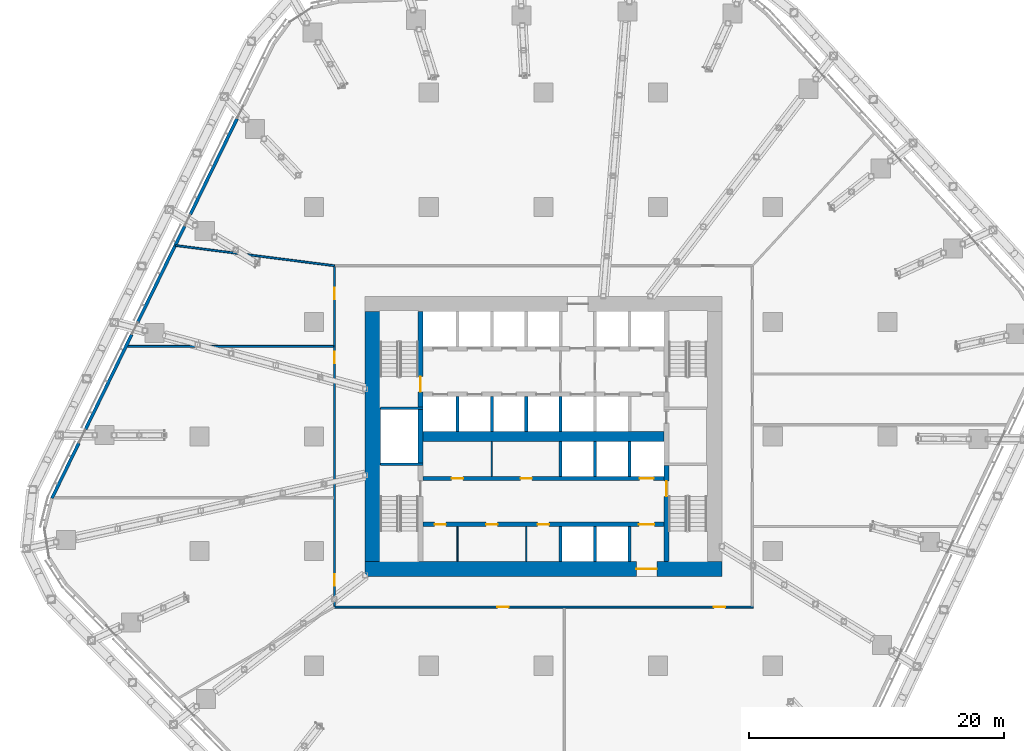
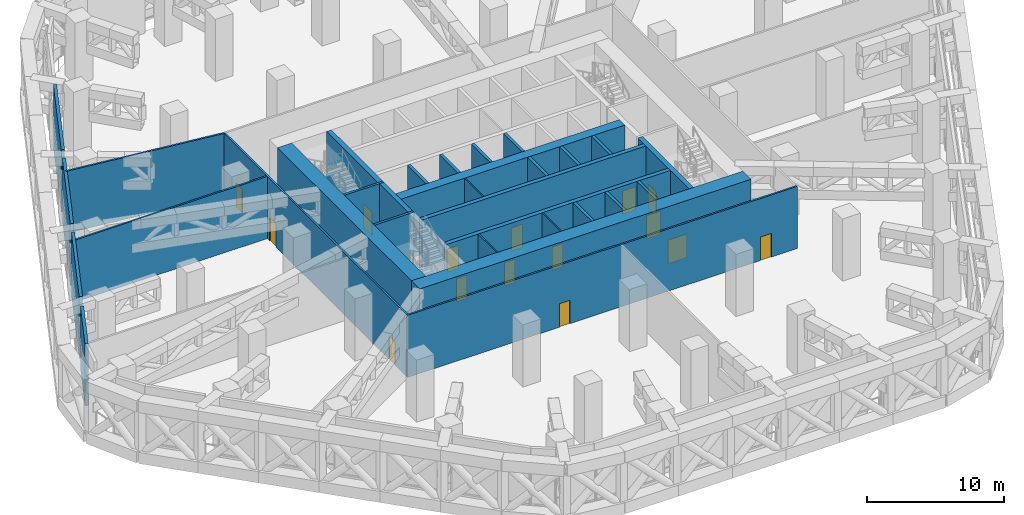
# One storey, part 17 of 38: 31 walls, 15 doors, 15 openings.
"""IFC4 building model written with IfcOpenShell, lengths in metres."""

from ifc_helpers import new_model, si_unit, direction, frame, frame_2d, origin, place, context, subcontext, project, spatial, rectangle, extrude, material, layer, layer_set, type_object, element, fill, save


model = new_model("IFC4")

# Units and contexts
model_context = context("Model", 3, precision=1e-05, world=origin(), true_north=direction((0.0, 1.0)))
body_context = subcontext(model_context, "Body", "Model", "MODEL_VIEW")
ifc_project = project(units=[si_unit("LENGTHUNIT", "METRE"), si_unit("AREAUNIT", "SQUARE_METRE"), si_unit("VOLUMEUNIT", "CUBIC_METRE"), si_unit("PLANEANGLEUNIT", "RADIAN"), si_unit("MASSUNIT", "GRAM", prefix="KILO")], contexts=[model_context])

# Site, building, storey
site_placement = place(None, origin())
site = spatial("IfcSite", under=ifc_project, at=site_placement, CompositionType="ELEMENT")
building_placement = place(site_placement, origin())
building = spatial("IfcBuilding", under=site, at=building_placement, Name="Dongbaek Canopy Tower", CompositionType="ELEMENT")
storey_placement = place(building_placement, frame((0.0, 0.0, 89.199951171875)))
storey = spatial("IfcBuildingStorey", under=building, at=storey_placement, Name="L18", CompositionType="ELEMENT", Elevation=89.199951171875)

# Wall
ifc_material_1 = material(Name="Concrete C60/75", Category="concrete")
ifc_layer_1 = layer(ifc_material_1, 0.800048828125)
ifc_layer_set_1 = layer_set([ifc_layer_1], Name="Core central wall 800 Concrete C60/75")
wall_type_1 = type_object("IfcWallType", Name="Core central wall 800 Concrete C60/75", PredefinedType="SHEAR", material=ifc_layer_set_1)
wall_1_placement = place(storey_placement, frame((-9.449951171875, 0.0, 0.0), z_axis=(0.0, 0.0, 1.0), x_axis=(1.0, 0.0, 0.0)))
element("IfcWall", 1, at=wall_1_placement, inside=storey, type_object=wall_type_1, Name="Core wall", PredefinedType="SHEAR", context=body_context, shape_type="SweptSolid", body=[
    extrude(rectangle(XDim=18.89990234375, YDim=0.800048828125, at=frame_2d((9.449951171875, 0.0))), origin(), (0.0, 0.0, 1.0), 5.550048828125),
])

# Wall, openings, doors
ifc_material_2 = material(Name="Concrete C60/75", Category="concrete")
ifc_layer_2 = layer(ifc_material_2, 0.35009765625)
ifc_layer_set_2 = layer_set([ifc_layer_2], Name="Core lobby wall 350 Concrete C60/75")
wall_type_2 = type_object("IfcWallType", Name="Core lobby wall 350 Concrete C60/75", PredefinedType="SHEAR", material=ifc_layer_set_2)
wall_2_placement = place(storey_placement, frame((-9.449951171875, -3.300048828125, 0.0), z_axis=(0.0, 0.0, 1.0), x_axis=(1.0, 0.0, 0.0)))
wall_2 = element("IfcWall", 2, at=wall_2_placement, inside=storey, type_object=wall_type_2, Name="Core wall", PredefinedType="SHEAR", context=body_context, shape_type="SweptSolid", body=[
    extrude(rectangle(XDim=18.89990234375, YDim=0.35009765625, at=frame_2d((9.449951171875, 0.0))), origin(), (0.0, 0.0, 1.0), 5.550048828125),
])
opening_1_placement = place(wall_2_placement, frame((17.0, 0.0, 0.0)))
opening_1 = element("IfcOpeningElement", 3, at=opening_1_placement, cuts=wall_2, Name="Opening L18-D026", PredefinedType="OPENING", context=body_context, shape_type="SweptSolid", body=[
    extrude(rectangle(XDim=1.10009765625, YDim=2.10009765625, at=frame_2d((0.550048828125, 1.050048828125))), frame((0.0, 0.18505859375, 0.0), z_axis=(0.0, -1.0, 0.0), x_axis=(1.0, 0.0, 0.0)), (0.0, 0.0, 1.0), 0.3701171875),
])
opening_2_placement = place(wall_2_placement, frame((2.25, 0.0, 0.0)))
opening_2 = element("IfcOpeningElement", 4, at=opening_2_placement, cuts=wall_2, Name="Opening L18-D029", PredefinedType="OPENING", context=body_context, shape_type="SweptSolid", body=[
    extrude(rectangle(XDim=0.89990234375, YDim=2.10009765625, at=frame_2d((0.449951171875, 1.050048828125))), frame((0.0, 0.18505859375, 0.0), z_axis=(0.0, -1.0, 0.0), x_axis=(1.0, 0.0, 0.0)), (0.0, 0.0, 1.0), 0.3701171875),
])
opening_3_placement = place(wall_2_placement, frame((7.64990234375, 0.0, 0.0)))
opening_3 = element("IfcOpeningElement", 5, at=opening_3_placement, cuts=wall_2, Name="Opening L18-D030", PredefinedType="OPENING", context=body_context, shape_type="SweptSolid", body=[
    extrude(rectangle(XDim=0.89990234375, YDim=2.10009765625, at=frame_2d((0.449951171875, 1.050048828125))), frame((0.0, 0.18505859375, 0.0), z_axis=(0.0, -1.0, 0.0), x_axis=(1.0, 0.0, 0.0)), (0.0, 0.0, 1.0), 0.3701171875),
])
ifc_material_3 = material(Name="Steel", Category="steel")
door_type_1 = type_object("IfcDoorType", Name="Core room door 900 x 2100", OperationType="SINGLE_SWING_LEFT", PredefinedType="DOOR", material=ifc_material_3)
door_1_placement = place(opening_2_placement, origin())
door_1 = element("IfcDoor", 6, at=door_1_placement, inside=storey, type_object=door_type_1, Name="Door L18-D029", OperationType="SINGLE_SWING_RIGHT", OverallHeight=2.10009765625, OverallWidth=0.89990234375, PredefinedType="DOOR", context=body_context, shape_type="SweptSolid", body=[
    extrude(rectangle(XDim=0.89990234375, YDim=2.10009765625, at=frame_2d((0.449951171875, 1.050048828125))), frame((0.0, 0.02490234375, 0.0), z_axis=(0.0, -1.0, 0.0), x_axis=(1.0, 0.0, 0.0)), (0.0, 0.0, 1.0), 0.050048828125),
])
fill(opening_2, door_1)
door_2_placement = place(opening_3_placement, origin())
door_2 = element("IfcDoor", 7, at=door_2_placement, inside=storey, type_object=door_type_1, Name="Door L18-D030", OperationType="SINGLE_SWING_LEFT", OverallHeight=2.10009765625, OverallWidth=0.89990234375, PredefinedType="DOOR", context=body_context, shape_type="SweptSolid", body=[
    extrude(rectangle(XDim=0.89990234375, YDim=2.10009765625, at=frame_2d((0.449951171875, 1.050048828125))), frame((0.0, 0.02490234375, 0.0), z_axis=(0.0, -1.0, 0.0), x_axis=(1.0, 0.0, 0.0)), (0.0, 0.0, 1.0), 0.050048828125),
])
fill(opening_3, door_2)
ifc_material_4 = material(Name="Stainless steel", Category="steel")
door_type_2 = type_object("IfcDoorType", Name="Lift landing door 1100 x 2100", OperationType="DOUBLE_DOOR_SLIDING", PredefinedType="DOOR", material=ifc_material_4)
door_3_placement = place(opening_1_placement, origin())
door_3 = element("IfcDoor", 8, at=door_3_placement, inside=storey, type_object=door_type_2, Name="Landing door SV2", OperationType="DOUBLE_DOOR_SLIDING", OverallHeight=2.10009765625, OverallWidth=1.10009765625, PredefinedType="DOOR", context=body_context, shape_type="SweptSolid", body=[
    extrude(rectangle(XDim=1.10009765625, YDim=2.10009765625, at=frame_2d((0.550048828125, 1.050048828125))), frame((0.0, 0.02490234375, 0.0), z_axis=(0.0, -1.0, 0.0), x_axis=(1.0, 0.0, 0.0)), (0.0, 0.0, 1.0), 0.050048828125),
])
fill(opening_1, door_3)

wall_3_placement = place(storey_placement, frame((9.449951171875, -6.89990234375, 0.0), z_axis=(0.0, 0.0, 1.0), x_axis=(-1.0, 0.0, 0.0)))
wall_3 = element("IfcWall", 9, at=wall_3_placement, inside=storey, type_object=wall_type_2, Name="Core wall", PredefinedType="SHEAR", context=body_context, shape_type="SweptSolid", body=[
    extrude(rectangle(XDim=18.89990234375, YDim=0.35009765625, at=frame_2d((9.449951171875, 0.0))), origin(), (0.0, 0.0, 1.0), 5.550048828125),
])
opening_4_placement = place(wall_3_placement, frame((0.75, 0.0, 0.0)))
opening_4 = element("IfcOpeningElement", 10, at=opening_4_placement, cuts=wall_3, Name="Opening L18-D028", PredefinedType="OPENING", context=body_context, shape_type="SweptSolid", body=[
    extrude(rectangle(XDim=1.199951171875, YDim=2.10009765625, at=frame_2d((0.60009765625, 1.050048828125))), frame((0.0, 0.18505859375, 0.0), z_axis=(0.0, -1.0, 0.0), x_axis=(1.0, 0.0, 0.0)), (0.0, 0.0, 1.0), 0.3701171875),
])
opening_5_placement = place(wall_3_placement, frame((17.10009765625, 0.0, 0.0)))
opening_5 = element("IfcOpeningElement", 11, at=opening_5_placement, cuts=wall_3, Name="Opening L18-D031", PredefinedType="OPENING", context=body_context, shape_type="SweptSolid", body=[
    extrude(rectangle(XDim=0.89990234375, YDim=2.10009765625, at=frame_2d((0.449951171875, 1.050048828125))), frame((0.0, 0.18505859375, 0.0), z_axis=(0.0, -1.0, 0.0), x_axis=(1.0, 0.0, 0.0)), (0.0, 0.0, 1.0), 0.3701171875),
])
opening_6_placement = place(wall_3_placement, frame((13.050048828125, 0.0, 0.0)))
opening_6 = element("IfcOpeningElement", 12, at=opening_6_placement, cuts=wall_3, Name="Opening L18-D032", PredefinedType="OPENING", context=body_context, shape_type="SweptSolid", body=[
    extrude(rectangle(XDim=0.89990234375, YDim=2.10009765625, at=frame_2d((0.449951171875, 1.050048828125))), frame((0.0, 0.18505859375, 0.0), z_axis=(0.0, -1.0, 0.0), x_axis=(1.0, 0.0, 0.0)), (0.0, 0.0, 1.0), 0.3701171875),
])
opening_7_placement = place(wall_3_placement, frame((9.0, 0.0, 0.0)))
opening_7 = element("IfcOpeningElement", 13, at=opening_7_placement, cuts=wall_3, Name="Opening L18-D033", PredefinedType="OPENING", context=body_context, shape_type="SweptSolid", body=[
    extrude(rectangle(XDim=0.89990234375, YDim=2.10009765625, at=frame_2d((0.449951171875, 1.050048828125))), frame((0.0, 0.18505859375, 0.0), z_axis=(0.0, -1.0, 0.0), x_axis=(1.0, 0.0, 0.0)), (0.0, 0.0, 1.0), 0.3701171875),
])
door_4_placement = place(opening_5_placement, origin())
door_4 = element("IfcDoor", 14, at=door_4_placement, inside=storey, type_object=door_type_1, Name="Door L18-D031", OperationType="SINGLE_SWING_RIGHT", OverallHeight=2.10009765625, OverallWidth=0.89990234375, PredefinedType="DOOR", context=body_context, shape_type="SweptSolid", body=[
    extrude(rectangle(XDim=0.89990234375, YDim=2.10009765625, at=frame_2d((0.449951171875, 1.050048828125))), frame((0.0, 0.02490234375, 0.0), z_axis=(0.0, -1.0, 0.0), x_axis=(1.0, 0.0, 0.0)), (0.0, 0.0, 1.0), 0.050048828125),
])
fill(opening_5, door_4)
door_5_placement = place(opening_6_placement, origin())
door_5 = element("IfcDoor", 15, at=door_5_placement, inside=storey, type_object=door_type_1, Name="Door L18-D032", OperationType="SINGLE_SWING_LEFT", OverallHeight=2.10009765625, OverallWidth=0.89990234375, PredefinedType="DOOR", context=body_context, shape_type="SweptSolid", body=[
    extrude(rectangle(XDim=0.89990234375, YDim=2.10009765625, at=frame_2d((0.449951171875, 1.050048828125))), frame((0.0, 0.02490234375, 0.0), z_axis=(0.0, -1.0, 0.0), x_axis=(1.0, 0.0, 0.0)), (0.0, 0.0, 1.0), 0.050048828125),
])
fill(opening_6, door_5)
door_6_placement = place(opening_7_placement, origin())
door_6 = element("IfcDoor", 16, at=door_6_placement, inside=storey, type_object=door_type_1, Name="Door L18-D033", OperationType="SINGLE_SWING_RIGHT", OverallHeight=2.10009765625, OverallWidth=0.89990234375, PredefinedType="DOOR", context=body_context, shape_type="SweptSolid", body=[
    extrude(rectangle(XDim=0.89990234375, YDim=2.10009765625, at=frame_2d((0.449951171875, 1.050048828125))), frame((0.0, 0.02490234375, 0.0), z_axis=(0.0, -1.0, 0.0), x_axis=(1.0, 0.0, 0.0)), (0.0, 0.0, 1.0), 0.050048828125),
])
fill(opening_7, door_6)
ifc_material_5 = material(Name="Steel", Category="steel")
door_type_3 = type_object("IfcDoorType", Name="Fire lobby door 1200 x 2100", OperationType="SINGLE_SWING_LEFT", PredefinedType="DOOR", material=ifc_material_5)
door_7_placement = place(opening_4_placement, origin())
door_7 = element("IfcDoor", 17, at=door_7_placement, inside=storey, type_object=door_type_3, Name="Door L18-D028", OperationType="SINGLE_SWING_LEFT", OverallHeight=2.10009765625, OverallWidth=1.199951171875, PredefinedType="DOOR", context=body_context, shape_type="SweptSolid", body=[
    extrude(rectangle(XDim=1.199951171875, YDim=2.10009765625, at=frame_2d((0.60009765625, 1.050048828125))), frame((0.0, 0.02490234375, 0.0), z_axis=(0.0, -1.0, 0.0), x_axis=(1.0, 0.0, 0.0)), (0.0, 0.0, 1.0), 0.050048828125),
])
fill(opening_4, door_7)

# Wall, opening, door
ifc_material_6 = material(Name="Concrete C60/75", Category="concrete")
ifc_layer_3 = layer(ifc_material_6, 1.199951171875)
ifc_layer_set_3 = layer_set([ifc_layer_3], Name="Core outer wall 1200 Concrete C60/75")
wall_type_3 = type_object("IfcWallType", Name="Core outer wall 1200 Concrete C60/75", PredefinedType="SHEAR", material=ifc_layer_set_3)
wall_4_placement = place(storey_placement, frame((14.0, -10.39990234375, 0.0), z_axis=(0.0, 0.0, 1.0), x_axis=(-1.0, 0.0, 0.0)))
wall_4 = element("IfcWall", 18, at=wall_4_placement, inside=storey, type_object=wall_type_3, Name="Core wall", PredefinedType="SHEAR", context=body_context, shape_type="SweptSolid", body=[
    extrude(rectangle(XDim=28.0, YDim=1.199951171875, at=frame_2d((14.0, 0.0))), origin(), (0.0, 0.0, 1.0), 5.550048828125),
])
opening_8_placement = place(wall_4_placement, frame((5.10009765625, 0.0, 0.0)))
opening_8 = element("IfcOpeningElement", 19, at=opening_8_placement, cuts=wall_4, Name="Opening L18-D027", PredefinedType="OPENING", context=body_context, shape_type="SweptSolid", body=[
    extrude(rectangle(XDim=1.60009765625, YDim=2.10009765625, at=frame_2d((0.800048828125, 1.050048828125))), frame((0.0, 0.60986328125, 0.0), z_axis=(0.0, -1.0, 0.0), x_axis=(1.0, 0.0, 0.0)), (0.0, 0.0, 1.0), 1.219970703125),
])
ifc_material_7 = material(Name="Steel", Category="steel")
door_type_4 = type_object("IfcDoorType", Name="Core exit door 1600 x 2100", OperationType="DOUBLE_DOOR_SINGLE_SWING", PredefinedType="DOOR", material=ifc_material_7)
door_8_placement = place(opening_8_placement, origin())
door_8 = element("IfcDoor", 20, at=door_8_placement, inside=storey, type_object=door_type_4, Name="Core exit door", OperationType="DOUBLE_DOOR_SINGLE_SWING", OverallHeight=2.10009765625, OverallWidth=1.60009765625, PredefinedType="DOOR", context=body_context, shape_type="SweptSolid", body=[
    extrude(rectangle(XDim=1.60009765625, YDim=2.10009765625, at=frame_2d((0.800048828125, 1.050048828125))), frame((0.0, 0.02490234375, 0.0), z_axis=(0.0, -1.0, 0.0), x_axis=(1.0, 0.0, 0.0)), (0.0, 0.0, 1.0), 0.050048828125),
])
fill(opening_8, door_8)

# Wall
wall_5_placement = place(storey_placement, frame((-13.39990234375, -9.800048828125, 0.0), z_axis=(0.0, 0.0, 1.0), x_axis=(0.0, 1.0, 0.0)))
element("IfcWall", 21, at=wall_5_placement, inside=storey, type_object=wall_type_3, Name="Core wall", PredefinedType="SHEAR", context=body_context, shape_type="SweptSolid", body=[
    extrude(rectangle(XDim=19.60009765625, YDim=1.199951171875, at=frame_2d((9.800048828125, 0.0))), origin(), (0.0, 0.0, 1.0), 5.550048828125),
])

# Wall, openings, doors
ifc_material_8 = material(Name="Gypsum board partition, steel stud, 2 x 15 mm fire board", Category="steel")
ifc_layer_4 = layer(ifc_material_8, 0.14990234375)
ifc_layer_set_4 = layer_set([ifc_layer_4], Name="Fire-rated partition 150 gypsum board")
wall_type_4 = type_object("IfcWallType", Name="Fire-rated partition 150 gypsum board", PredefinedType="PARTITIONING", material=ifc_layer_set_4)
wall_6_placement = place(storey_placement, frame((16.47509765625, -13.39990234375, 0.0), z_axis=(0.0, 0.0, 1.0), x_axis=(-1.0, 0.0, 0.0)))
wall_6 = element("IfcWall", 22, at=wall_6_placement, inside=storey, type_object=wall_type_4, Name="Corridor partition", PredefinedType="PARTITIONING", context=body_context, shape_type="SweptSolid", body=[
    extrude(rectangle(XDim=32.9501953125, YDim=0.14990234375, at=frame_2d((16.47509765625, 0.0))), origin(), (0.0, 0.0, 1.0), 5.550048828125),
])
opening_9_placement = place(wall_6_placement, frame((19.203125, 0.0, 0.0)))
opening_9 = element("IfcOpeningElement", 23, at=opening_9_placement, cuts=wall_6, Name="Opening L18-D002", PredefinedType="OPENING", context=body_context, shape_type="SweptSolid", body=[
    extrude(rectangle(XDim=0.89990234375, YDim=2.10009765625, at=frame_2d((0.449951171875, 1.050048828125))), frame((0.0, 0.0849609375, 0.0), z_axis=(0.0, -1.0, 0.0), x_axis=(1.0, 0.0, 0.0)), (0.0, 0.0, 1.0), 0.169921875),
])
opening_10_placement = place(wall_6_placement, frame((2.192138671875, 0.0, 0.0)))
opening_10 = element("IfcOpeningElement", 24, at=opening_10_placement, cuts=wall_6, Name="Opening L18-D003", PredefinedType="OPENING", context=body_context, shape_type="SweptSolid", body=[
    extrude(rectangle(XDim=0.89990234375, YDim=2.10009765625, at=frame_2d((0.449951171875, 1.050048828125))), frame((0.0, 0.0849609375, 0.0), z_axis=(0.0, -1.0, 0.0), x_axis=(1.0, 0.0, 0.0)), (0.0, 0.0, 1.0), 0.169921875),
])
ifc_material_9 = material(Name="Timber veneered door leaf", Category="wood")
door_type_5 = type_object("IfcDoorType", Name="Room door 900 x 2100", OperationType="SINGLE_SWING_LEFT", PredefinedType="DOOR", material=ifc_material_9)
door_9_placement = place(opening_9_placement, origin())
door_9 = element("IfcDoor", 25, at=door_9_placement, inside=storey, type_object=door_type_5, Name="Door L18-D002", OperationType="SINGLE_SWING_LEFT", OverallHeight=2.10009765625, OverallWidth=0.89990234375, PredefinedType="DOOR", context=body_context, shape_type="SweptSolid", body=[
    extrude(rectangle(XDim=0.89990234375, YDim=2.10009765625, at=frame_2d((0.449951171875, 1.050048828125))), frame((0.0, 0.02490234375, 0.0), z_axis=(0.0, -1.0, 0.0), x_axis=(1.0, 0.0, 0.0)), (0.0, 0.0, 1.0), 0.050048828125),
])
fill(opening_9, door_9)
ifc_material_10 = material(Name="Timber veneered door leaf", Category="wood")
door_type_6 = type_object("IfcDoorType", Name="Store door 900 x 2100", OperationType="SINGLE_SWING_LEFT", PredefinedType="DOOR", material=ifc_material_10)
door_10_placement = place(opening_10_placement, origin())
door_10 = element("IfcDoor", 26, at=door_10_placement, inside=storey, type_object=door_type_6, Name="Door L18-D003", OperationType="SINGLE_SWING_RIGHT", OverallHeight=2.10009765625, OverallWidth=0.89990234375, PredefinedType="DOOR", context=body_context, shape_type="SweptSolid", body=[
    extrude(rectangle(XDim=0.89990234375, YDim=2.10009765625, at=frame_2d((0.449951171875, 1.050048828125))), frame((0.0, 0.02490234375, 0.0), z_axis=(0.0, -1.0, 0.0), x_axis=(1.0, 0.0, 0.0)), (0.0, 0.0, 1.0), 0.050048828125),
])
fill(opening_10, door_10)

# Wall
wall_7_placement = place(storey_placement, frame((-32.748291015625, 7.075927734375, 0.0), z_axis=(0.0, 0.0, 1.0), x_axis=(1.0, 0.0, 0.0)))
element("IfcWall", 27, at=wall_7_placement, inside=storey, type_object=wall_type_4, Name="Corridor partition", PredefinedType="PARTITIONING", context=body_context, shape_type="SweptSolid", body=[
    extrude(rectangle(XDim=16.273193359375, YDim=0.14990234375, at=frame_2d((8.13671875, 0.0))), origin(), (0.0, 0.0, 1.0), 5.550048828125),
])

# Wall, openings, doors
wall_8_placement = place(storey_placement, frame((-16.39990234375, -13.324951171875, 0.0), z_axis=(0.0, 0.0, 1.0), x_axis=(0.0, 1.0, 0.0)))
wall_8 = element("IfcWall", 28, at=wall_8_placement, inside=storey, type_object=wall_type_4, Name="Corridor partition", PredefinedType="PARTITIONING", context=body_context, shape_type="SweptSolid", body=[
    extrude(rectangle(XDim=26.64990234375, YDim=0.14990234375, at=frame_2d((13.324951171875, 0.0))), origin(), (0.0, 0.0, 1.0), 5.550048828125),
])
opening_11_placement = place(wall_8_placement, frame((1.62060546875, 0.0, 0.0)))
opening_11 = element("IfcOpeningElement", 29, at=opening_11_placement, cuts=wall_8, Name="Opening L18-D001", PredefinedType="OPENING", context=body_context, shape_type="SweptSolid", body=[
    extrude(rectangle(XDim=0.89990234375, YDim=2.10009765625, at=frame_2d((0.449951171875, 1.050048828125))), frame((0.0, 0.0849609375, 0.0), z_axis=(0.0, -1.0, 0.0), x_axis=(1.0, 0.0, 0.0)), (0.0, 0.0, 1.0), 0.169921875),
])
opening_12_placement = place(wall_8_placement, frame((24.097900390625, 0.0, 0.0)))
opening_12 = element("IfcOpeningElement", 30, at=opening_12_placement, cuts=wall_8, Name="Opening L18-D008", PredefinedType="OPENING", context=body_context, shape_type="SweptSolid", body=[
    extrude(rectangle(XDim=0.89990234375, YDim=2.10009765625, at=frame_2d((0.449951171875, 1.050048828125))), frame((0.0, 0.0849609375, 0.0), z_axis=(0.0, -1.0, 0.0), x_axis=(1.0, 0.0, 0.0)), (0.0, 0.0, 1.0), 0.169921875),
])
opening_13_placement = place(wall_8_placement, frame((19.087890625, 0.0, 0.0)))
opening_13 = element("IfcOpeningElement", 31, at=opening_13_placement, cuts=wall_8, Name="Opening L18-D009", PredefinedType="OPENING", context=body_context, shape_type="SweptSolid", body=[
    extrude(rectangle(XDim=0.89990234375, YDim=2.10009765625, at=frame_2d((0.449951171875, 1.050048828125))), frame((0.0, 0.0849609375, 0.0), z_axis=(0.0, -1.0, 0.0), x_axis=(1.0, 0.0, 0.0)), (0.0, 0.0, 1.0), 0.169921875),
])
door_11_placement = place(opening_11_placement, origin())
door_11 = element("IfcDoor", 32, at=door_11_placement, inside=storey, type_object=door_type_5, Name="Door L18-D001", OperationType="SINGLE_SWING_RIGHT", OverallHeight=2.10009765625, OverallWidth=0.89990234375, PredefinedType="DOOR", context=body_context, shape_type="SweptSolid", body=[
    extrude(rectangle(XDim=0.89990234375, YDim=2.10009765625, at=frame_2d((0.449951171875, 1.050048828125))), frame((0.0, 0.02490234375, 0.0), z_axis=(0.0, -1.0, 0.0), x_axis=(1.0, 0.0, 0.0)), (0.0, 0.0, 1.0), 0.050048828125),
])
fill(opening_11, door_11)
door_12_placement = place(opening_12_placement, origin())
door_12 = element("IfcDoor", 33, at=door_12_placement, inside=storey, type_object=door_type_5, Name="Door L18-D008", OperationType="SINGLE_SWING_LEFT", OverallHeight=2.10009765625, OverallWidth=0.89990234375, PredefinedType="DOOR", context=body_context, shape_type="SweptSolid", body=[
    extrude(rectangle(XDim=0.89990234375, YDim=2.10009765625, at=frame_2d((0.449951171875, 1.050048828125))), frame((0.0, 0.02490234375, 0.0), z_axis=(0.0, -1.0, 0.0), x_axis=(1.0, 0.0, 0.0)), (0.0, 0.0, 1.0), 0.050048828125),
])
fill(opening_12, door_12)
door_13_placement = place(opening_13_placement, origin())
door_13 = element("IfcDoor", 34, at=door_13_placement, inside=storey, type_object=door_type_5, Name="Door L18-D009", OperationType="SINGLE_SWING_RIGHT", OverallHeight=2.10009765625, OverallWidth=0.89990234375, PredefinedType="DOOR", context=body_context, shape_type="SweptSolid", body=[
    extrude(rectangle(XDim=0.89990234375, YDim=2.10009765625, at=frame_2d((0.449951171875, 1.050048828125))), frame((0.0, 0.02490234375, 0.0), z_axis=(0.0, -1.0, 0.0), x_axis=(1.0, 0.0, 0.0)), (0.0, 0.0, 1.0), 0.050048828125),
])
fill(opening_13, door_13)

# Walls
wall_9_placement = place(storey_placement, frame((-28.888427734375, 14.990966796875, 0.0), z_axis=(0.0, 0.0, 1.0), x_axis=(0.991981829528, -0.126380575588, 0.0)))
element("IfcWall", 35, at=wall_9_placement, inside=storey, type_object=wall_type_4, Name="Corridor partition", PredefinedType="PARTITIONING", context=body_context, shape_type="SweptSolid", body=[
    extrude(rectangle(XDim=12.58935546875, YDim=0.14990234375, at=frame_2d((6.294677734375, 0.0))), origin(), (0.0, 0.0, 1.0), 5.550048828125),
])
ifc_material_11 = material(Name="Concrete C40/50", Category="concrete")
ifc_layer_5 = layer(ifc_material_11, 0.25)
ifc_layer_set_5 = layer_set([ifc_layer_5], Name="Lift shaft wall 250 Concrete C40/50")
wall_type_5 = type_object("IfcWallType", Name="Lift shaft wall 250 Concrete C40/50", PredefinedType="SOLIDWALL", material=ifc_layer_set_5)
for number, where, z_axis, x_axis, name in (
    (36, (6.75, -9.800048828125, 0.0), (0.0, 0.0, 1.0), (0.0, 1.0, 0.0), "Lift shaft wall"),
    (37, (6.75, -3.125, 0.0), (0.0, 0.0, 1.0), (0.0, 1.0, 0.0), "Lift shaft wall"),
    (38, (4.050048828125, -9.800048828125, 0.0), (0.0, 0.0, 1.0), (0.0, 1.0, 0.0), "Lift shaft wall"),
    (39, (4.050048828125, -3.125, 0.0), (0.0, 0.0, 1.0), (0.0, 1.0, 0.0), "Lift shaft wall"),
    (40, (1.35009765625, -9.800048828125, 0.0), (0.0, 0.0, 1.0), (0.0, 1.0, 0.0), "Lift shaft wall"),
    (41, (1.35009765625, -3.125, 0.0), (0.0, 0.0, 1.0), (0.0, 1.0, 0.0), "Lift shaft wall"),
    (42, (1.35009765625, 0.39990234375, 0.0), (0.0, 0.0, 1.0), (0.0, 1.0, 0.0), "Lift shaft wall"),
    (43, (-1.35009765625, 0.39990234375, 0.0), (0.0, 0.0, 1.0), (0.0, 1.0, 0.0), "Lift shaft wall"),
    (44, (-4.050048828125, 0.39990234375, 0.0), (0.0, 0.0, 1.0), (0.0, 1.0, 0.0), "Lift shaft wall"),
    (45, (-6.75, 0.39990234375, 0.0), (0.0, 0.0, 1.0), (0.0, 1.0, 0.0), "Lift shaft wall"),
):
    element("IfcWall", number, at=place(storey_placement, frame(where, z_axis=z_axis, x_axis=x_axis)), inside=storey, type_object=wall_type_5, Name=name, PredefinedType="SOLIDWALL", context=body_context, shape_type="SweptSolid", body=[
        extrude(rectangle(XDim=2.72509765625, YDim=0.25, at=frame_2d((1.362548828125, 0.0))), origin(), (0.0, 0.0, 1.0), 5.550048828125),
    ])
ifc_material_12 = material(Name="Gypsum board partition, steel stud, 2 x 12.5 mm board", Category="steel")
ifc_layer_6 = layer(ifc_material_12, 0.10009765625)
ifc_layer_set_6 = layer_set([ifc_layer_6], Name="Partition 100 gypsum board")
wall_type_6 = type_object("IfcWallType", Name="Partition 100 gypsum board", PredefinedType="PARTITIONING", material=ifc_layer_set_6)
for number, where, z_axis, x_axis, name in (
    (46, (-1.35009765625, -9.800048828125, 0.0), (0.0, 0.0, 1.0), (0.0, 1.0, 0.0), "Core partition"),
    (47, (-4.050048828125, -3.125, 0.0), (0.0, 0.0, 1.0), (0.0, 1.0, 0.0), "Core partition"),
    (48, (-6.75, -9.800048828125, 0.0), (0.0, 0.0, 1.0), (0.0, 1.0, 0.0), "Core partition"),
):
    element("IfcWall", number, at=place(storey_placement, frame(where, z_axis=z_axis, x_axis=x_axis)), inside=storey, type_object=wall_type_6, Name=name, PredefinedType="PARTITIONING", context=body_context, shape_type="SweptSolid", body=[
        extrude(rectangle(XDim=2.72509765625, YDim=0.10009765625, at=frame_2d((1.362548828125, 0.0))), origin(), (0.0, 0.0, 1.0), 5.550048828125),
    ])
ifc_material_13 = material(Name="Pale metal cladding on insulated wall")
ifc_layer_7 = layer(ifc_material_13, 0.25)
ifc_layer_set_7 = layer_set([ifc_layer_7], Name="Plant floor wall 250")
wall_type_7 = type_object("IfcWallType", Name="Plant floor wall 250", PredefinedType="SOLIDWALL", material=ifc_layer_set_7)
wall_10_placement = place(storey_placement, frame((-24.05712890625, 24.943359375, 0.0), z_axis=(0.0, 0.0, 1.0), x_axis=(-0.438344187068, -0.898807194933, 0.0)))
element("IfcWall", 49, at=wall_10_placement, inside=storey, type_object=wall_type_7, Name="Plant wall L18 F2 2", PredefinedType="SOLIDWALL", context=body_context, shape_type="SweptSolid", body=[
    extrude(rectangle(XDim=8.35546875, YDim=0.25, at=frame_2d((4.177734375, 0.0))), origin(), (0.0, 0.0, 1.0), 5.550048828125),
])
wall_11_placement = place(storey_placement, frame((-28.175048828125, 16.49951171875, 0.0), z_axis=(0.0, 0.0, 1.0), x_axis=(-0.438332337133, -0.898812973996, 0.0)))
element("IfcWall", 50, at=wall_11_placement, inside=storey, type_object=wall_type_7, Name="Plant wall L18 F2 3", PredefinedType="SOLIDWALL", context=body_context, shape_type="SweptSolid", body=[
    extrude(rectangle(XDim=8.37744140625, YDim=0.25, at=frame_2d((4.188720703125, 0.0))), origin(), (0.0, 0.0, 1.0), 5.550048828125),
])
wall_12_placement = place(storey_placement, frame((-32.322021484375, 7.995849609375, 0.0), z_axis=(0.0, 0.0, 1.0), x_axis=(-0.438317846938, -0.898820040417, 0.0)))
element("IfcWall", 51, at=wall_12_placement, inside=storey, type_object=wall_type_7, Name="Plant wall L18 F2 4", PredefinedType="SOLIDWALL", context=body_context, shape_type="SweptSolid", body=[
    extrude(rectangle(XDim=8.27587890625, YDim=0.25, at=frame_2d((4.137939453125, 0.0))), origin(), (0.0, 0.0, 1.0), 5.550048828125),
])
wall_13_placement = place(storey_placement, frame((-36.47802734375, -0.526123046875, 0.0), z_axis=(0.0, 0.0, 1.0), x_axis=(-0.43835071994, -0.898804008852, 0.0)))
element("IfcWall", 52, at=wall_13_placement, inside=storey, type_object=wall_type_7, Name="Plant wall L18 F2 5", PredefinedType="SOLIDWALL", context=body_context, shape_type="SweptSolid", body=[
    extrude(rectangle(XDim=4.81591796875, YDim=0.25, at=frame_2d((2.407958984375, 0.0))), origin(), (0.0, 0.0, 1.0), 5.550048828125),
])
ifc_material_14 = material(Name="Concrete C60/75", Category="concrete")
ifc_layer_8 = layer(ifc_material_14, 0.199951171875)
ifc_layer_set_8 = layer_set([ifc_layer_8], Name="Riser wall 200 Concrete C60/75")
wall_type_8 = type_object("IfcWallType", Name="Riser wall 200 Concrete C60/75", PredefinedType="SHEAR", material=ifc_layer_set_8)
for number, where, z_axis, x_axis, name in (
    (53, (-9.449951171875, 2.199951171875, 0.0), (0.0, 0.0, 1.0), (-1.0, 0.0, 0.0), "Riser wall"),
    (54, (-9.449951171875, -2.199951171875, 0.0), (0.0, 0.0, 1.0), (-1.0, 0.0, 0.0), "Riser wall"),
):
    element("IfcWall", number, at=place(storey_placement, frame(where, z_axis=z_axis, x_axis=x_axis)), inside=storey, type_object=wall_type_8, Name=name, PredefinedType="SHEAR", context=body_context, shape_type="SweptSolid", body=[
        extrude(rectangle(XDim=3.35009765625, YDim=0.199951171875, at=frame_2d((1.675048828125, 0.0))), origin(), (0.0, 0.0, 1.0), 5.550048828125),
    ])

# Wall, opening, door
ifc_material_15 = material(Name="Concrete C60/75", Category="concrete")
ifc_layer_9 = layer(ifc_material_15, 0.39990234375)
ifc_layer_set_9 = layer_set([ifc_layer_9], Name="Stair wall 400 Concrete C60/75")
wall_type_9 = type_object("IfcWallType", Name="Stair wall 400 Concrete C60/75", PredefinedType="SHEAR", material=ifc_layer_set_9)
wall_14_placement = place(storey_placement, frame((9.64990234375, -2.300048828125, 0.0), z_axis=(0.0, 0.0, 1.0), x_axis=(0.0, -1.0, 0.0)))
wall_14 = element("IfcWall", 55, at=wall_14_placement, inside=storey, type_object=wall_type_9, Name="Stair wall", PredefinedType="SHEAR", context=body_context, shape_type="SweptSolid", body=[
    extrude(rectangle(XDim=7.5, YDim=0.39990234375, at=frame_2d((3.75, 0.0))), origin(), (0.0, 0.0, 1.0), 5.550048828125),
])
opening_14_placement = place(wall_14_placement, frame((1.199951171875, 0.0, 0.0)))
opening_14 = element("IfcOpeningElement", 56, at=opening_14_placement, cuts=wall_14, Name="Opening L18-D036", PredefinedType="OPENING", context=body_context, shape_type="SweptSolid", body=[
    extrude(rectangle(XDim=1.199951171875, YDim=2.10009765625, at=frame_2d((0.60009765625, 1.050048828125))), frame((0.0, 0.2099609375, 0.0), z_axis=(0.0, -1.0, 0.0), x_axis=(1.0, 0.0, 0.0)), (0.0, 0.0, 1.0), 0.419921875),
])
ifc_material_16 = material(Name="Steel", Category="steel")
door_type_7 = type_object("IfcDoorType", Name="Stair door 1200 x 2100", OperationType="SINGLE_SWING_LEFT", PredefinedType="DOOR", material=ifc_material_16)
door_14_placement = place(opening_14_placement, origin())
door_14 = element("IfcDoor", 57, at=door_14_placement, inside=storey, type_object=door_type_7, Name="Stair B door", OperationType="SINGLE_SWING_RIGHT", OverallHeight=2.10009765625, OverallWidth=1.199951171875, PredefinedType="DOOR", context=body_context, shape_type="SweptSolid", body=[
    extrude(rectangle(XDim=1.199951171875, YDim=2.10009765625, at=frame_2d((0.60009765625, 1.050048828125))), frame((0.0, 0.02490234375, 0.0), z_axis=(0.0, -1.0, 0.0), x_axis=(1.0, 0.0, 0.0)), (0.0, 0.0, 1.0), 0.050048828125),
])
fill(opening_14, door_14)

# Wall
wall_15_placement = place(storey_placement, frame((-9.64990234375, -2.10009765625, 0.0), z_axis=(0.0, 0.0, 1.0), x_axis=(0.0, 1.0, 0.0)))
element("IfcWall", 58, at=wall_15_placement, inside=storey, type_object=wall_type_9, Name="Stair wall", PredefinedType="SHEAR", context=body_context, shape_type="SweptSolid", body=[
    extrude(rectangle(XDim=4.2001953125, YDim=0.39990234375, at=frame_2d((2.10009765625, 0.0))), origin(), (0.0, 0.0, 1.0), 5.550048828125),
])

# Wall, opening, door
wall_16_placement = place(storey_placement, frame((-9.64990234375, 2.300048828125, 0.0), z_axis=(0.0, 0.0, 1.0), x_axis=(0.0, 1.0, 0.0)))
wall_16 = element("IfcWall", 59, at=wall_16_placement, inside=storey, type_object=wall_type_9, Name="Stair wall", PredefinedType="SHEAR", context=body_context, shape_type="SweptSolid", body=[
    extrude(rectangle(XDim=7.5, YDim=0.39990234375, at=frame_2d((3.75, 0.0))), origin(), (0.0, 0.0, 1.0), 5.550048828125),
])
opening_15_placement = place(wall_16_placement, frame((1.199951171875, 0.0, 0.0)))
opening_15 = element("IfcOpeningElement", 60, at=opening_15_placement, cuts=wall_16, Name="Opening L18-D035", PredefinedType="OPENING", context=body_context, shape_type="SweptSolid", body=[
    extrude(rectangle(XDim=1.199951171875, YDim=2.10009765625, at=frame_2d((0.60009765625, 1.050048828125))), frame((0.0, 0.2099609375, 0.0), z_axis=(0.0, -1.0, 0.0), x_axis=(1.0, 0.0, 0.0)), (0.0, 0.0, 1.0), 0.419921875),
])
door_15_placement = place(opening_15_placement, origin())
door_15 = element("IfcDoor", 61, at=door_15_placement, inside=storey, type_object=door_type_7, Name="Stair C door", OperationType="SINGLE_SWING_RIGHT", OverallHeight=2.10009765625, OverallWidth=1.199951171875, PredefinedType="DOOR", context=body_context, shape_type="SweptSolid", body=[
    extrude(rectangle(XDim=1.199951171875, YDim=2.10009765625, at=frame_2d((0.60009765625, 1.050048828125))), frame((0.0, 0.02490234375, 0.0), z_axis=(0.0, -1.0, 0.0), x_axis=(1.0, 0.0, 0.0)), (0.0, 0.0, 1.0), 0.050048828125),
])
fill(opening_15, door_15)

save(model, "model.ifc")
